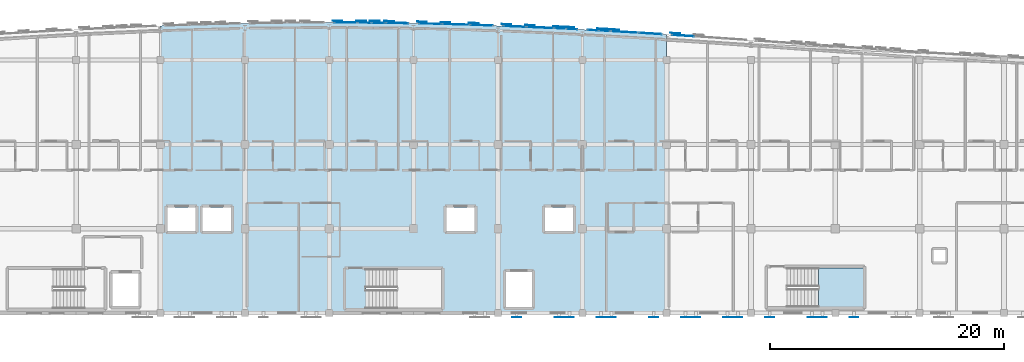
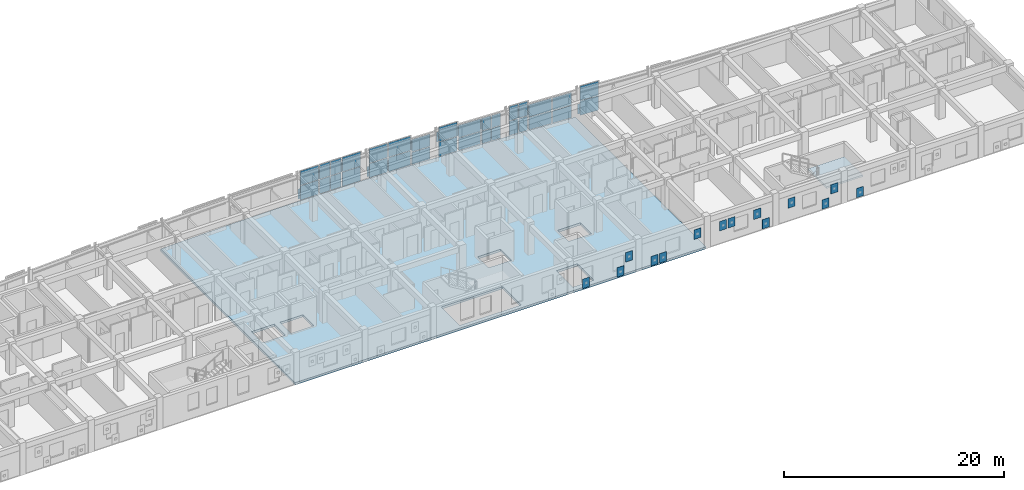
# One storey, part 33 of 48: 60 plates, 2 slabs, 14 elements without a shape of their own.
"""IFC4 building model written with IfcOpenShell, lengths in metres."""

from ifc_helpers import new_model, si_unit, direction, frame, origin, origin_2d, place, context, subcontext, project, spatial, polyline, rectangle, outline, extrude, material, layer, layer_set, type_object, element, aggregate, save


model = new_model("IFC4")

# Units and contexts
model_context = context("Model", 3, precision=1e-05, world=origin(), true_north=direction((0.0, 1.0)))
body_context = subcontext(model_context, "Body", "Model", "MODEL_VIEW")
ifc_project = project(units=[si_unit("LENGTHUNIT", "METRE"), si_unit("AREAUNIT", "SQUARE_METRE"), si_unit("VOLUMEUNIT", "CUBIC_METRE"), si_unit("PLANEANGLEUNIT", "RADIAN"), si_unit("MASSUNIT", "GRAM", prefix="KILO")], contexts=[model_context])

# Site, building, storey
site_placement = place(None, origin())
site = spatial("IfcSite", under=ifc_project, at=site_placement, CompositionType="ELEMENT")
building_placement = place(site_placement, origin())
building = spatial("IfcBuilding", under=site, at=building_placement, Name="Carrowvane Square Congress Hotel", CompositionType="ELEMENT")
storey_placement = place(building_placement, frame((0.0, 0.0, 26.39990234375)))
storey = spatial("IfcBuildingStorey", under=building, at=storey_placement, Name="L06", CompositionType="ELEMENT", Elevation=26.39990234375)

# Curtain wall, plates
ifc_material_1 = material(Name="Anodised aluminium", Category="aluminium")
ifc_layer_1 = layer(ifc_material_1, 0.174072265625)
ifc_layer_set_1 = layer_set([ifc_layer_1], Name="Anodised aluminium")
curtain_wall_type_1 = type_object("IfcCurtainWallType", Name="CW-SYS-2", PredefinedType="NOTDEFINED", material=ifc_layer_set_1)
curtain_wall_1_placement = place(storey_placement, origin())
curtain_wall_1 = element("IfcCurtainWall", 1, at=curtain_wall_1_placement, inside=storey, type_object=curtain_wall_type_1, Name="L06 unitised curtain wall 385", PredefinedType="NOTDEFINED")
ifc_material_2 = material(Name="Double-glazed low-E glass", Category="glass")
ifc_layer_2 = layer(ifc_material_2, 0.028076171875)
ifc_layer_set_2 = layer_set([ifc_layer_2], Name="Double-glazed low-E glass")
plate_type_1 = type_object("IfcPlateType", Name="CW-PAN-1", PredefinedType="CURTAIN_PANEL", material=ifc_layer_set_2)
plate_1_placement = place(storey_placement, frame((106.59619140625, 116.498291015625, 0.06982421875), z_axis=(0.0, 0.0, 1.0), x_axis=(0.99974644475, -0.022517686606, 0.0)))
plate_1 = element("IfcPlate", 2, at=plate_1_placement, type_object=plate_type_1, Name="CW-2 panel 1.1", PredefinedType="CURTAIN_PANEL", context=body_context, shape_type="SweptSolid", body=[
    extrude(rectangle(XDim=1.8681640625, YDim=0.028076171875, at=origin_2d()), origin(), (0.0, 0.0, 1.0), 1.570068359375),
])
plate_2_placement = place(storey_placement, frame((106.59619140625, 116.498291015625, 1.7099609375), z_axis=(0.0, 0.0, 1.0), x_axis=(0.99974644475, -0.022517686606, 0.0)))
plate_2 = element("IfcPlate", 3, at=plate_2_placement, type_object=plate_type_1, Name="CW-2 panel 1.2", PredefinedType="CURTAIN_PANEL", context=body_context, shape_type="SweptSolid", body=[
    extrude(rectangle(XDim=1.8681640625, YDim=0.028076171875, at=origin_2d()), origin(), (0.0, 0.0, 1.0), 1.570068359375),
])
aggregate(curtain_wall_1, [plate_1, plate_2])

ifc_material_3 = material(Name="Anodised aluminium", Category="aluminium")
ifc_layer_3 = layer(ifc_material_3, 0.23388671875)
ifc_layer_set_3 = layer_set([ifc_layer_3], Name="Anodised aluminium")
curtain_wall_type_2 = type_object("IfcCurtainWallType", Name="CW-SYS-7", PredefinedType="NOTDEFINED", material=ifc_layer_set_3)
curtain_wall_2_placement = place(storey_placement, origin())
curtain_wall_2 = element("IfcCurtainWall", 4, at=curtain_wall_2_placement, inside=storey, type_object=curtain_wall_type_2, Name="L06 unitised curtain wall 390", PredefinedType="NOTDEFINED")
plate_3_placement = place(storey_placement, frame((117.723876953125, 116.092041015625, 0.06005859375), z_axis=(0.0, 0.0, 1.0), x_axis=(0.998732955299, -0.050323791596, 0.0)))
plate_3 = element("IfcPlate", 5, at=plate_3_placement, type_object=plate_type_1, Name="CW-7 panel 1.1", PredefinedType="CURTAIN_PANEL", context=body_context, shape_type="SweptSolid", body=[
    extrude(rectangle(XDim=0.928955078125, YDim=0.028076171875, at=origin_2d()), origin(), (0.0, 0.0, 1.0), 1.372802734375),
])
plate_4_placement = place(storey_placement, frame((117.723876953125, 116.092041015625, 1.49267578125), z_axis=(0.0, 0.0, 1.0), x_axis=(0.998732955299, -0.050323791596, 0.0)))
plate_4 = element("IfcPlate", 6, at=plate_4_placement, type_object=plate_type_1, Name="CW-7 panel 1.2", PredefinedType="CURTAIN_PANEL", context=body_context, shape_type="SweptSolid", body=[
    extrude(rectangle(XDim=0.928955078125, YDim=0.028076171875, at=origin_2d()), origin(), (0.0, 0.0, 1.0), 1.372802734375),
])
plate_5_placement = place(storey_placement, frame((118.711669921875, 116.042236328125, 0.06005859375), z_axis=(0.0, 0.0, 1.0), x_axis=(0.998732955299, -0.050323791596, 0.0)))
plate_5 = element("IfcPlate", 7, at=plate_5_placement, type_object=plate_type_1, Name="CW-7 panel 2.1", PredefinedType="CURTAIN_PANEL", context=body_context, shape_type="SweptSolid", body=[
    extrude(rectangle(XDim=0.928955078125, YDim=0.028076171875, at=origin_2d()), origin(), (0.0, 0.0, 1.0), 1.372802734375),
])
plate_6_placement = place(storey_placement, frame((118.711669921875, 116.042236328125, 1.49267578125), z_axis=(0.0, 0.0, 1.0), x_axis=(0.998732955299, -0.050323791596, 0.0)))
plate_6 = element("IfcPlate", 8, at=plate_6_placement, type_object=plate_type_1, Name="CW-7 panel 2.2", PredefinedType="CURTAIN_PANEL", context=body_context, shape_type="SweptSolid", body=[
    extrude(rectangle(XDim=0.928955078125, YDim=0.028076171875, at=origin_2d()), origin(), (0.0, 0.0, 1.0), 1.372802734375),
])
aggregate(curtain_wall_2, [plate_3, plate_4, plate_5, plate_6])

ifc_material_4 = material(Name="Anodised aluminium", Category="aluminium")
ifc_layer_4 = layer(ifc_material_4, 0.18603515625)
ifc_layer_set_4 = layer_set([ifc_layer_4], Name="Anodised aluminium")
curtain_wall_type_3 = type_object("IfcCurtainWallType", Name="CW-SYS-3", PredefinedType="NOTDEFINED", material=ifc_layer_set_4)
curtain_wall_3_placement = place(storey_placement, origin())
curtain_wall_3 = element("IfcCurtainWall", 9, at=curtain_wall_3_placement, inside=storey, type_object=curtain_wall_type_3, Name="L06 unitised curtain wall 386", PredefinedType="NOTDEFINED")
ifc_material_5 = material(Name="Double-glazed low-E glass", Category="glass")
ifc_layer_5 = layer(ifc_material_5, 0.031982421875)
ifc_layer_set_5 = layer_set([ifc_layer_5], Name="Double-glazed low-E glass")
plate_type_2 = type_object("IfcPlateType", Name="CW-PAN-2", PredefinedType="CURTAIN_PANEL", material=ifc_layer_set_5)
plate_7_placement = place(storey_placement, frame((108.800048828125, 116.44140625, 0.06005859375), z_axis=(0.0, 0.0, 1.0), x_axis=(0.999589848065, -0.028638010501, 0.0)))
plate_7 = element("IfcPlate", 10, at=plate_7_placement, type_object=plate_type_2, Name="CW-3 panel 1.1", PredefinedType="CURTAIN_PANEL", context=body_context, shape_type="SweptSolid", body=[
    extrude(rectangle(XDim=2.281005859375, YDim=0.031982421875, at=origin_2d()), origin(), (0.0, 0.0, 1.0), 1.5849609375),
])
plate_8_placement = place(storey_placement, frame((108.800048828125, 116.44140625, 1.705078125), z_axis=(0.0, 0.0, 1.0), x_axis=(0.999589848065, -0.028638010501, 0.0)))
plate_8 = element("IfcPlate", 11, at=plate_8_placement, type_object=plate_type_2, Name="CW-3 panel 1.2", PredefinedType="CURTAIN_PANEL", context=body_context, shape_type="SweptSolid", body=[
    extrude(rectangle(XDim=2.281005859375, YDim=0.031982421875, at=origin_2d()), origin(), (0.0, 0.0, 1.0), 1.5849609375),
])
aggregate(curtain_wall_3, [plate_7, plate_8])

ifc_material_6 = material(Name="Anodised aluminium", Category="aluminium")
ifc_layer_6 = layer(ifc_material_6, 0.24609375)
ifc_layer_set_6 = layer_set([ifc_layer_6], Name="Anodised aluminium")
curtain_wall_type_4 = type_object("IfcCurtainWallType", Name="CW-SYS-8", PredefinedType="NOTDEFINED", material=ifc_layer_set_6)
curtain_wall_4_placement = place(storey_placement, origin())
curtain_wall_4 = element("IfcCurtainWall", 12, at=curtain_wall_4_placement, inside=storey, type_object=curtain_wall_type_4, Name="L06 unitised curtain wall 391", PredefinedType="NOTDEFINED")
plate_9_placement = place(storey_placement, frame((120.520751953125, 115.947021484375, 0.06982421875), z_axis=(0.0, 0.0, 1.0), x_axis=(0.998496473856, -0.054815980317, 0.0)))
plate_9 = element("IfcPlate", 13, at=plate_9_placement, type_object=plate_type_2, Name="CW-8 panel 1.1", PredefinedType="CURTAIN_PANEL", context=body_context, shape_type="SweptSolid", body=[
    extrude(rectangle(XDim=0.894287109375, YDim=0.031982421875, at=origin_2d()), origin(), (0.0, 0.0, 1.0), 1.570068359375),
])
plate_10_placement = place(storey_placement, frame((120.520751953125, 115.947021484375, 1.7099609375), z_axis=(0.0, 0.0, 1.0), x_axis=(0.998496473856, -0.054815980317, 0.0)))
plate_10 = element("IfcPlate", 14, at=plate_10_placement, type_object=plate_type_2, Name="CW-8 panel 1.2", PredefinedType="CURTAIN_PANEL", context=body_context, shape_type="SweptSolid", body=[
    extrude(rectangle(XDim=0.894287109375, YDim=0.031982421875, at=origin_2d()), origin(), (0.0, 0.0, 1.0), 1.570068359375),
])
plate_11_placement = place(storey_placement, frame((121.483642578125, 115.894287109375, 0.06982421875), z_axis=(0.0, 0.0, 1.0), x_axis=(0.998496473856, -0.054815980317, 0.0)))
plate_11 = element("IfcPlate", 15, at=plate_11_placement, type_object=plate_type_2, Name="CW-8 panel 2.1", PredefinedType="CURTAIN_PANEL", context=body_context, shape_type="SweptSolid", body=[
    extrude(rectangle(XDim=0.894287109375, YDim=0.031982421875, at=origin_2d()), origin(), (0.0, 0.0, 1.0), 1.570068359375),
])
plate_12_placement = place(storey_placement, frame((121.483642578125, 115.894287109375, 1.7099609375), z_axis=(0.0, 0.0, 1.0), x_axis=(0.998496473856, -0.054815980317, 0.0)))
plate_12 = element("IfcPlate", 16, at=plate_12_placement, type_object=plate_type_2, Name="CW-8 panel 2.2", PredefinedType="CURTAIN_PANEL", context=body_context, shape_type="SweptSolid", body=[
    extrude(rectangle(XDim=0.894287109375, YDim=0.031982421875, at=origin_2d()), origin(), (0.0, 0.0, 1.0), 1.570068359375),
])
aggregate(curtain_wall_4, [plate_9, plate_10, plate_11, plate_12])

curtain_wall_5_placement = place(storey_placement, origin())
curtain_wall_5 = element("IfcCurtainWall", 17, at=curtain_wall_5_placement, inside=storey, type_object=curtain_wall_type_2, Name="L06 unitised curtain wall 382", PredefinedType="NOTDEFINED")
ifc_material_7 = material(Name="Double-glazed low-E glass", Category="glass")
ifc_layer_7 = layer(ifc_material_7, 0.035888671875)
ifc_layer_set_7 = layer_set([ifc_layer_7], Name="Double-glazed low-E glass")
plate_type_3 = type_object("IfcPlateType", Name="CW-PAN-3", PredefinedType="CURTAIN_PANEL", material=ifc_layer_set_7)
plate_13_placement = place(storey_placement, frame((99.392333984375, 116.595458984375, 0.06005859375), z_axis=(0.0, 0.0, 1.0), x_axis=(0.999994652529, -0.003270307911, 0.0)))
plate_13 = element("IfcPlate", 18, at=plate_13_placement, type_object=plate_type_3, Name="CW-7 panel 1.1", PredefinedType="CURTAIN_PANEL", context=body_context, shape_type="SweptSolid", body=[
    extrude(rectangle(XDim=1.89501953125, YDim=0.035888671875, at=origin_2d()), origin(), (0.0, 0.0, 1.0), 1.5849609375),
])
plate_14_placement = place(storey_placement, frame((99.392333984375, 116.595458984375, 1.705078125), z_axis=(0.0, 0.0, 1.0), x_axis=(0.999994652529, -0.003270307911, 0.0)))
plate_14 = element("IfcPlate", 19, at=plate_14_placement, type_object=plate_type_3, Name="CW-7 panel 1.2", PredefinedType="CURTAIN_PANEL", context=body_context, shape_type="SweptSolid", body=[
    extrude(rectangle(XDim=1.89501953125, YDim=0.035888671875, at=origin_2d()), origin(), (0.0, 0.0, 1.0), 1.5849609375),
])
aggregate(curtain_wall_5, [plate_13, plate_14])

ifc_material_8 = material(Name="Anodised aluminium", Category="aluminium")
ifc_layer_8 = layer(ifc_material_8, 0.197998046875)
ifc_layer_set_8 = layer_set([ifc_layer_8], Name="Anodised aluminium")
curtain_wall_type_5 = type_object("IfcCurtainWallType", Name="CW-SYS-4", PredefinedType="NOTDEFINED", material=ifc_layer_set_8)
curtain_wall_6_placement = place(storey_placement, origin())
curtain_wall_6 = element("IfcCurtainWall", 20, at=curtain_wall_6_placement, inside=storey, type_object=curtain_wall_type_5, Name="L06 unitised curtain wall 387", PredefinedType="NOTDEFINED")
plate_15_placement = place(storey_placement, frame((111.0146484375, 116.371826171875, 0.070068359375), z_axis=(0.0, 0.0, 1.0), x_axis=(0.999403663525, -0.034529948347, 0.0)))
plate_15 = element("IfcPlate", 21, at=plate_15_placement, type_object=plate_type_3, Name="CW-4 panel 1.1", PredefinedType="CURTAIN_PANEL", context=body_context, shape_type="SweptSolid", body=[
    extrude(rectangle(XDim=1.890625, YDim=0.035888671875, at=origin_2d()), origin(), (0.0, 0.0, 1.0), 1.35791015625),
])
plate_16_placement = place(storey_placement, frame((111.0146484375, 116.371826171875, 1.497802734375), z_axis=(0.0, 0.0, 1.0), x_axis=(0.999403663525, -0.034529948347, 0.0)))
plate_16 = element("IfcPlate", 22, at=plate_16_placement, type_object=plate_type_3, Name="CW-4 panel 1.2", PredefinedType="CURTAIN_PANEL", context=body_context, shape_type="SweptSolid", body=[
    extrude(rectangle(XDim=1.890625, YDim=0.035888671875, at=origin_2d()), origin(), (0.0, 0.0, 1.0), 1.35791015625),
])
aggregate(curtain_wall_6, [plate_15, plate_16])

ifc_material_9 = material(Name="Anodised aluminium", Category="aluminium")
ifc_layer_9 = layer(ifc_material_9, 0.162109375)
ifc_layer_set_9 = layer_set([ifc_layer_9], Name="Anodised aluminium")
curtain_wall_type_6 = type_object("IfcCurtainWallType", Name="CW-SYS-1", PredefinedType="NOTDEFINED", material=ifc_layer_set_9)
curtain_wall_7_placement = place(storey_placement, origin())
curtain_wall_7 = element("IfcCurtainWall", 23, at=curtain_wall_7_placement, inside=storey, type_object=curtain_wall_type_6, Name="L06 unitised curtain wall 392", PredefinedType="NOTDEFINED")
plate_17_placement = place(storey_placement, frame((123.199951171875, 115.795166015625, 0.06005859375), z_axis=(0.0, 0.0, 1.0), x_axis=(0.998266763162, -0.058851249486, 0.0)))
plate_17 = element("IfcPlate", 24, at=plate_17_placement, type_object=plate_type_3, Name="CW-1 panel 1.1", PredefinedType="CURTAIN_PANEL", context=body_context, shape_type="SweptSolid", body=[
    extrude(rectangle(XDim=2.2841796875, YDim=0.035888671875, at=origin_2d()), origin(), (0.0, 0.0, 1.0), 1.372802734375),
])
plate_18_placement = place(storey_placement, frame((123.199951171875, 115.795166015625, 1.49267578125), z_axis=(0.0, 0.0, 1.0), x_axis=(0.998266763162, -0.058851249486, 0.0)))
plate_18 = element("IfcPlate", 25, at=plate_18_placement, type_object=plate_type_3, Name="CW-1 panel 1.2", PredefinedType="CURTAIN_PANEL", context=body_context, shape_type="SweptSolid", body=[
    extrude(rectangle(XDim=2.2841796875, YDim=0.035888671875, at=origin_2d()), origin(), (0.0, 0.0, 1.0), 1.372802734375),
])
aggregate(curtain_wall_7, [plate_17, plate_18])

curtain_wall_8_placement = place(storey_placement, origin())
curtain_wall_8 = element("IfcCurtainWall", 26, at=curtain_wall_8_placement, inside=storey, type_object=curtain_wall_type_4, Name="L06 unitised curtain wall 383", PredefinedType="NOTDEFINED")
ifc_material_10 = material(Name="Double-glazed low-E glass", Category="glass")
ifc_layer_10 = layer(ifc_material_10, 0.0419921875)
ifc_layer_set_10 = layer_set([ifc_layer_10], Name="Double-glazed low-E glass")
plate_type_4 = type_object("IfcPlateType", Name="CW-PAN-4", PredefinedType="CURTAIN_PANEL", material=ifc_layer_set_10)
plate_19_placement = place(storey_placement, frame((101.017578125, 116.586181640625, 0.06982421875), z_axis=(0.0, 0.0, 1.0), x_axis=(0.999952146231, -0.009782905924, 0.0)))
plate_19 = element("IfcPlate", 27, at=plate_19_placement, type_object=plate_type_4, Name="CW-8 panel 1.1", PredefinedType="CURTAIN_PANEL", context=body_context, shape_type="SweptSolid", body=[
    extrude(rectangle(XDim=1.094970703125, YDim=0.0419921875, at=origin_2d()), origin(), (0.0, 0.0, 1.0), 1.570068359375),
])
plate_20_placement = place(storey_placement, frame((101.017578125, 116.586181640625, 1.7099609375), z_axis=(0.0, 0.0, 1.0), x_axis=(0.999952146231, -0.009782905924, 0.0)))
plate_20 = element("IfcPlate", 28, at=plate_20_placement, type_object=plate_type_4, Name="CW-8 panel 1.2", PredefinedType="CURTAIN_PANEL", context=body_context, shape_type="SweptSolid", body=[
    extrude(rectangle(XDim=1.094970703125, YDim=0.0419921875, at=origin_2d()), origin(), (0.0, 0.0, 1.0), 1.570068359375),
])
plate_21_placement = place(storey_placement, frame((102.182373046875, 116.57470703125, 0.06982421875), z_axis=(0.0, 0.0, 1.0), x_axis=(0.999952146231, -0.009782905924, 0.0)))
plate_21 = element("IfcPlate", 29, at=plate_21_placement, type_object=plate_type_4, Name="CW-8 panel 2.1", PredefinedType="CURTAIN_PANEL", context=body_context, shape_type="SweptSolid", body=[
    extrude(rectangle(XDim=1.094970703125, YDim=0.0419921875, at=origin_2d()), origin(), (0.0, 0.0, 1.0), 1.570068359375),
])
plate_22_placement = place(storey_placement, frame((102.182373046875, 116.57470703125, 1.7099609375), z_axis=(0.0, 0.0, 1.0), x_axis=(0.999952146231, -0.009782905924, 0.0)))
plate_22 = element("IfcPlate", 30, at=plate_22_placement, type_object=plate_type_4, Name="CW-8 panel 2.2", PredefinedType="CURTAIN_PANEL", context=body_context, shape_type="SweptSolid", body=[
    extrude(rectangle(XDim=1.094970703125, YDim=0.0419921875, at=origin_2d()), origin(), (0.0, 0.0, 1.0), 1.570068359375),
])
aggregate(curtain_wall_8, [plate_19, plate_20, plate_21, plate_22])

ifc_material_11 = material(Name="Anodised aluminium", Category="aluminium")
ifc_layer_11 = layer(ifc_material_11, 0.2099609375)
ifc_layer_set_11 = layer_set([ifc_layer_11], Name="Anodised aluminium")
curtain_wall_type_7 = type_object("IfcCurtainWallType", Name="CW-SYS-5", PredefinedType="NOTDEFINED", material=ifc_layer_set_11)
curtain_wall_9_placement = place(storey_placement, origin())
curtain_wall_9 = element("IfcCurtainWall", 31, at=curtain_wall_9_placement, inside=storey, type_object=curtain_wall_type_7, Name="L06 unitised curtain wall 388", PredefinedType="NOTDEFINED")
plate_23_placement = place(storey_placement, frame((113.79931640625, 116.267822265625, 0.06005859375), z_axis=(0.0, 0.0, 1.0), x_axis=(0.999194428656, -0.040130957403, 0.0)))
plate_23 = element("IfcPlate", 32, at=plate_23_placement, type_object=plate_type_4, Name="CW-5 panel 1.1", PredefinedType="CURTAIN_PANEL", context=body_context, shape_type="SweptSolid", body=[
    extrude(rectangle(XDim=1.8828125, YDim=0.0419921875, at=origin_2d()), origin(), (0.0, 0.0, 1.0), 1.5849609375),
])
plate_24_placement = place(storey_placement, frame((113.79931640625, 116.267822265625, 1.705078125), z_axis=(0.0, 0.0, 1.0), x_axis=(0.999194428656, -0.040130957403, 0.0)))
plate_24 = element("IfcPlate", 33, at=plate_24_placement, type_object=plate_type_4, Name="CW-5 panel 1.2", PredefinedType="CURTAIN_PANEL", context=body_context, shape_type="SweptSolid", body=[
    extrude(rectangle(XDim=1.8828125, YDim=0.0419921875, at=origin_2d()), origin(), (0.0, 0.0, 1.0), 1.5849609375),
])
aggregate(curtain_wall_9, [plate_23, plate_24])

curtain_wall_10_placement = place(storey_placement, origin())
curtain_wall_10 = element("IfcCurtainWall", 34, at=curtain_wall_10_placement, inside=storey, type_object=curtain_wall_type_1, Name="L06 unitised curtain wall 393", PredefinedType="NOTDEFINED")
plate_25_placement = place(storey_placement, frame((125.419921875, 115.66064453125, 0.070068359375), z_axis=(0.0, 0.0, 1.0), x_axis=(0.998051398046, -0.062397170272, 0.0)))
plate_25 = element("IfcPlate", 35, at=plate_25_placement, type_object=plate_type_4, Name="CW-2 panel 1.1", PredefinedType="CURTAIN_PANEL", context=body_context, shape_type="SweptSolid", body=[
    extrude(rectangle(XDim=1.904052734375, YDim=0.0419921875, at=origin_2d()), origin(), (0.0, 0.0, 1.0), 1.35791015625),
])
plate_26_placement = place(storey_placement, frame((125.419921875, 115.66064453125, 1.497802734375), z_axis=(0.0, 0.0, 1.0), x_axis=(0.998051398046, -0.062397170272, 0.0)))
plate_26 = element("IfcPlate", 36, at=plate_26_placement, type_object=plate_type_4, Name="CW-2 panel 1.2", PredefinedType="CURTAIN_PANEL", context=body_context, shape_type="SweptSolid", body=[
    extrude(rectangle(XDim=1.904052734375, YDim=0.0419921875, at=origin_2d()), origin(), (0.0, 0.0, 1.0), 1.35791015625),
])
aggregate(curtain_wall_10, [plate_25, plate_26])

curtain_wall_11_placement = place(storey_placement, origin())
curtain_wall_11 = element("IfcCurtainWall", 37, at=curtain_wall_11_placement, inside=storey, type_object=curtain_wall_type_6, Name="L06 unitised curtain wall 384", PredefinedType="NOTDEFINED")
ifc_material_12 = material(Name="Double-glazed low-E glass", Category="glass")
ifc_layer_12 = layer(ifc_material_12, 0.048095703125)
ifc_layer_set_12 = layer_set([ifc_layer_12], Name="Double-glazed low-E glass")
plate_type_5 = type_object("IfcPlateType", Name="CW-PAN-5", PredefinedType="CURTAIN_PANEL", material=ifc_layer_set_12)
plate_27_placement = place(storey_placement, frame((103.811279296875, 116.55224609375, 0.06005859375), z_axis=(0.0, 0.0, 1.0), x_axis=(0.99986851233, -0.016215981364, 0.0)))
plate_27 = element("IfcPlate", 38, at=plate_27_placement, type_object=plate_type_5, Name="CW-1 panel 1.1", PredefinedType="CURTAIN_PANEL", context=body_context, shape_type="SweptSolid", body=[
    extrude(rectangle(XDim=1.902587890625, YDim=0.048095703125, at=origin_2d()), origin(), (0.0, 0.0, 1.0), 1.5849609375),
])
plate_28_placement = place(storey_placement, frame((103.811279296875, 116.55224609375, 1.705078125), z_axis=(0.0, 0.0, 1.0), x_axis=(0.99986851233, -0.016215981364, 0.0)))
plate_28 = element("IfcPlate", 39, at=plate_28_placement, type_object=plate_type_5, Name="CW-1 panel 1.2", PredefinedType="CURTAIN_PANEL", context=body_context, shape_type="SweptSolid", body=[
    extrude(rectangle(XDim=1.902587890625, YDim=0.048095703125, at=origin_2d()), origin(), (0.0, 0.0, 1.0), 1.5849609375),
])
aggregate(curtain_wall_11, [plate_27, plate_28])

ifc_material_13 = material(Name="Anodised aluminium", Category="aluminium")
ifc_layer_13 = layer(ifc_material_13, 0.221923828125)
ifc_layer_set_13 = layer_set([ifc_layer_13], Name="Anodised aluminium")
curtain_wall_type_8 = type_object("IfcCurtainWallType", Name="CW-SYS-6", PredefinedType="NOTDEFINED", material=ifc_layer_set_13)
curtain_wall_12_placement = place(storey_placement, origin())
curtain_wall_12 = element("IfcCurtainWall", 40, at=curtain_wall_12_placement, inside=storey, type_object=curtain_wall_type_8, Name="L06 unitised curtain wall 389", PredefinedType="NOTDEFINED")
plate_29_placement = place(storey_placement, frame((116.0, 116.173095703125, 0.070068359375), z_axis=(0.0, 0.0, 1.0), x_axis=(0.998968385726, -0.045411059449, 0.0)))
plate_29 = element("IfcPlate", 41, at=plate_29_placement, type_object=plate_type_5, Name="CW-6 panel 1.1", PredefinedType="CURTAIN_PANEL", context=body_context, shape_type="SweptSolid", body=[
    extrude(rectangle(XDim=2.262451171875, YDim=0.048095703125, at=origin_2d()), origin(), (0.0, 0.0, 1.0), 1.35791015625),
])
plate_30_placement = place(storey_placement, frame((116.0, 116.173095703125, 1.497802734375), z_axis=(0.0, 0.0, 1.0), x_axis=(0.998968385726, -0.045411059449, 0.0)))
plate_30 = element("IfcPlate", 42, at=plate_30_placement, type_object=plate_type_5, Name="CW-6 panel 1.2", PredefinedType="CURTAIN_PANEL", context=body_context, shape_type="SweptSolid", body=[
    extrude(rectangle(XDim=2.262451171875, YDim=0.048095703125, at=origin_2d()), origin(), (0.0, 0.0, 1.0), 1.35791015625),
])
aggregate(curtain_wall_12, [plate_29, plate_30])

curtain_wall_13_placement = place(storey_placement, origin())
curtain_wall_13 = element("IfcCurtainWall", 43, at=curtain_wall_13_placement, inside=storey, type_object=curtain_wall_type_3, Name="L06 unitised curtain wall 394", PredefinedType="NOTDEFINED")
plate_31_placement = place(storey_placement, frame((128.204345703125, 115.482177734375, 0.06005859375), z_axis=(0.0, 0.0, 1.0), x_axis=(0.9978582145, -0.065413941589, 0.0)))
plate_31 = element("IfcPlate", 44, at=plate_31_placement, type_object=plate_type_5, Name="CW-3 panel 1.1", PredefinedType="CURTAIN_PANEL", context=body_context, shape_type="SweptSolid", body=[
    extrude(rectangle(XDim=1.8759765625, YDim=0.048095703125, at=origin_2d()), origin(), (0.0, 0.0, 1.0), 1.5849609375),
])
plate_32_placement = place(storey_placement, frame((128.204345703125, 115.482177734375, 1.705078125), z_axis=(0.0, 0.0, 1.0), x_axis=(0.9978582145, -0.065413941589, 0.0)))
plate_32 = element("IfcPlate", 45, at=plate_32_placement, type_object=plate_type_5, Name="CW-3 panel 1.2", PredefinedType="CURTAIN_PANEL", context=body_context, shape_type="SweptSolid", body=[
    extrude(rectangle(XDim=1.8759765625, YDim=0.048095703125, at=origin_2d()), origin(), (0.0, 0.0, 1.0), 1.5849609375),
])
aggregate(curtain_wall_13, [plate_31, plate_32])

# Plates
ifc_material_14 = material(Name="Champagne-gold anodised aluminium", Category="aluminium")
ifc_layer_14 = layer(ifc_material_14, 0.011962890625)
ifc_layer_set_14 = layer_set([ifc_layer_14], Name="Champagne-gold anodised aluminium")
plate_type_6 = type_object("IfcPlateType", Name="PLT-PIX-GOLD12", PredefinedType="SHEET", material=ifc_layer_set_14)
for number, where, z_axis, x_axis, name in (
    (46, (100.726318359375, 116.7548828125, 1.590087890625), (0.0, 0.0, 1.0), (0.999952150705, -0.009782448565, 0.0), "Champagne-gold pixel screen plate 544"),
    (47, (101.891357421875, 116.74365234375, 0.1201171875), (0.0, 0.0, 1.0), (0.999952150705, -0.009782448565, 0.0), "Champagne-gold pixel screen plate 545"),
    (48, (105.920654296875, 116.679443359375, 0.1201171875), (0.0, 0.0, 1.0), (0.999746418061, -0.022518871507, 0.0), "Champagne-gold pixel screen plate 547"),
    (49, (110.330322265625, 116.5615234375, 1.590087890625), (0.0, 0.0, 1.0), (0.999403768784, -0.034526901703, 0.0), "Champagne-gold pixel screen plate 549"),
    (50, (115.132080078125, 116.378662109375, 1.590087890625), (0.0, 0.0, 1.0), (0.998968255262, -0.045413929349, 0.0), "Champagne-gold pixel screen plate 551"),
    (51, (121.30078125, 116.070556640625, 1.590087890625), (0.0, 0.0, 1.0), (0.998496552462, -0.054814548441, 0.0), "Champagne-gold pixel screen plate 554"),
):
    element("IfcPlate", number, at=place(storey_placement, frame(where, z_axis=z_axis, x_axis=x_axis)), inside=storey, type_object=plate_type_6, Name=name, PredefinedType="SHEET", context=body_context, shape_type="SweptSolid", body=[
        extrude(rectangle(XDim=0.827880859375, YDim=0.011962890625, at=origin_2d()), origin(), (0.0, 0.0, 1.0), 1.1201171875),
    ])
for number, where, z_axis, x_axis, name in (
    (52, (140.10009765625, 91.4541015625, 1.52490234375), (0.0, 0.0, 1.0), (-1.0, 0.0, 0.0), "Champagne-gold pixel screen plate S-588"),
    (53, (139.199951171875, 91.4541015625, 0.1552734375), (0.0, 0.0, 1.0), (-1.0, 0.0, 0.0), "Champagne-gold pixel screen plate S-589"),
    (54, (135.60009765625, 91.4541015625, 1.52490234375), (0.0, 0.0, 1.0), (-1.0, 0.0, 0.0), "Champagne-gold pixel screen plate S-590"),
    (55, (125.699951171875, 91.4541015625, 1.52490234375), (0.0, 0.0, 1.0), (-1.0, 0.0, 0.0), "Champagne-gold pixel screen plate S-595"),
    (56, (122.10009765625, 91.4541015625, 0.1552734375), (0.0, 0.0, 1.0), (-1.0, 0.0, 0.0), "Champagne-gold pixel screen plate S-596"),
    (57, (121.199951171875, 91.4541015625, 0.1552734375), (0.0, 0.0, 1.0), (-1.0, 0.0, 0.0), "Champagne-gold pixel screen plate S-597"),
):
    element("IfcPlate", number, at=place(storey_placement, frame(where, z_axis=z_axis, x_axis=x_axis)), inside=storey, type_object=plate_type_6, Name=name, PredefinedType="SHEET", context=body_context, shape_type="SweptSolid", body=[
        extrude(rectangle(XDim=0.738037109375, YDim=0.011962890625, at=origin_2d()), origin(), (0.0, 0.0, 1.0), 1.050048828125),
    ])
ifc_material_15 = material(Name="Champagne-gold anodised aluminium", Category="aluminium")
ifc_layer_15 = layer(ifc_material_15, 0.008056640625)
ifc_layer_set_15 = layer_set([ifc_layer_15], Name="Champagne-gold anodised aluminium")
plate_type_7 = type_object("IfcPlateType", Name="PLT-PIX-GOLD8", PredefinedType="SHEET", material=ifc_layer_set_15)
for number, where, z_axis, x_axis, name in (
    (58, (98.705322265625, 116.76171875, 0.1201171875), (0.0, 0.0, 1.0), (0.999994654955, -0.003269565853, 0.0), "Champagne-gold pixel screen plate 543"),
    (59, (103.122314453125, 116.7275390625, 1.590087890625), (0.0, 0.0, 1.0), (0.999868508772, -0.016216200758, 0.0), "Champagne-gold pixel screen plate 546"),
    (60, (107.92431640625, 116.63037109375, 0.1201171875), (0.0, 0.0, 1.0), (0.999589805464, -0.028639497417, 0.0), "Champagne-gold pixel screen plate 548"),
    (61, (113.125, 116.458984375, 1.590087890625), (0.0, 0.0, 1.0), (0.999194294234, -0.040134304148, 0.0), "Champagne-gold pixel screen plate 550"),
    (62, (117.527587890625, 116.26611328125, 1.590087890625), (0.0, 0.0, 1.0), (0.998733066647, -0.050321581706, 0.0), "Champagne-gold pixel screen plate 552"),
    (63, (118.515380859375, 116.216552734375, 0.1201171875), (0.0, 0.0, 1.0), (0.998733066647, -0.050321581706, 0.0), "Champagne-gold pixel screen plate 553"),
    (64, (122.328857421875, 116.0107421875, 1.590087890625), (0.0, 0.0, 1.0), (0.998266695506, -0.05885239709, 0.0), "Champagne-gold pixel screen plate 555"),
    (65, (127.538330078125, 115.690185546875, 0.1201171875), (0.0, 0.0, 1.0), (0.99785825325, -0.065413350476, 0.0), "Champagne-gold pixel screen plate 556"),
):
    element("IfcPlate", number, at=place(storey_placement, frame(where, z_axis=z_axis, x_axis=x_axis)), inside=storey, type_object=plate_type_7, Name=name, PredefinedType="SHEET", context=body_context, shape_type="SweptSolid", body=[
        extrude(rectangle(XDim=0.827880859375, YDim=0.008056640625, at=origin_2d()), origin(), (0.0, 0.0, 1.0), 1.1201171875),
    ])
for number, where, z_axis, x_axis, name in (
    (66, (142.800048828125, 91.4560546875, 0.1552734375), (0.0, 0.0, 1.0), (-1.0, 0.0, 0.0), "Champagne-gold pixel screen plate S-587"),
    (67, (132.89990234375, 91.4560546875, 0.1552734375), (0.0, 0.0, 1.0), (-1.0, 0.0, 0.0), "Champagne-gold pixel screen plate S-591"),
    (68, (132.0, 91.4560546875, 1.52490234375), (0.0, 0.0, 1.0), (-1.0, 0.0, 0.0), "Champagne-gold pixel screen plate S-592"),
    (69, (129.300048828125, 91.4560546875, 1.52490234375), (0.0, 0.0, 1.0), (-1.0, 0.0, 0.0), "Champagne-gold pixel screen plate S-593"),
    (70, (128.39990234375, 91.4560546875, 1.52490234375), (0.0, 0.0, 1.0), (-1.0, 0.0, 0.0), "Champagne-gold pixel screen plate S-594"),
    (71, (118.5, 91.4560546875, 1.52490234375), (0.0, 0.0, 1.0), (-1.0, 0.0, 0.0), "Champagne-gold pixel screen plate S-598"),
    (72, (117.60009765625, 91.4560546875, 0.1552734375), (0.0, 0.0, 1.0), (-1.0, 0.0, 0.0), "Champagne-gold pixel screen plate S-599"),
    (73, (114.0, 91.4560546875, 0.1552734375), (0.0, 0.0, 1.0), (-1.0, 0.0, 0.0), "Champagne-gold pixel screen plate S-600"),
):
    element("IfcPlate", number, at=place(storey_placement, frame(where, z_axis=z_axis, x_axis=x_axis)), inside=storey, type_object=plate_type_7, Name=name, PredefinedType="SHEET", context=body_context, shape_type="SweptSolid", body=[
        extrude(rectangle(XDim=0.738037109375, YDim=0.008056640625, at=origin_2d()), origin(), (0.0, 0.0, 1.0), 1.050048828125),
    ])

# Slab
ifc_material_16 = material(Name="Concrete C35/45", Category="concrete")
ifc_layer_16 = layer(ifc_material_16, 0.25)
ifc_layer_set_16 = layer_set([ifc_layer_16], Name="Concrete C35/45")
slab_type_1 = type_object("IfcSlabType", Name="SLB-FLR-250", PredefinedType="FLOOR", material=ifc_layer_set_16)
slab_1_placement = place(storey_placement, frame((0.0, 0.0, -0.25)))
element("IfcSlab", 74, at=slab_1_placement, inside=storey, type_object=slab_type_1, Name="L06 Hotel Wing slab panel 2", PredefinedType="FLOOR", context=body_context, shape_type="SweptSolid", body=[
    extrude(outline(polyline([(83.60009765625, 91.800048828125), (126.800048828125, 91.800048828125), (126.800048828125, 115.57421875), (124.39990234375, 115.724365234375), (122.0, 115.86572265625), (119.60009765625, 115.99755859375), (117.199951171875, 116.118408203125), (114.800048828125, 116.2275390625), (112.39990234375, 116.323974609375), (110.0, 116.406982421875), (107.60009765625, 116.4755859375), (105.199951171875, 116.52978515625), (102.800048828125, 116.568603515625), (100.39990234375, 116.592041015625), (98.0, 116.60009765625), (95.60009765625, 116.592041015625), (93.199951171875, 116.568603515625), (90.800048828125, 116.52978515625), (88.39990234375, 116.4755859375), (86.0, 116.406982421875), (83.60009765625, 116.323974609375), (83.60009765625, 91.800048828125)]), holes=[polyline([(101.1201171875, 92.199951171875), (107.60009765625, 92.199951171875), (107.60009765625, 95.56005859375), (101.1201171875, 95.56005859375), (101.1201171875, 92.199951171875)]), polyline([(84.199951171875, 98.800048828125), (86.60009765625, 98.800048828125), (86.60009765625, 100.800048828125), (84.199951171875, 100.800048828125), (84.199951171875, 98.800048828125)]), polyline([(87.199951171875, 98.800048828125), (89.60009765625, 98.800048828125), (89.60009765625, 100.800048828125), (87.199951171875, 100.800048828125), (87.199951171875, 98.800048828125)]), polyline([(108.0, 98.800048828125), (110.39990234375, 98.800048828125), (110.39990234375, 100.800048828125), (108.0, 100.800048828125), (108.0, 98.800048828125)]), polyline([(116.39990234375, 98.800048828125), (118.800048828125, 98.800048828125), (118.800048828125, 100.800048828125), (116.39990234375, 100.800048828125), (116.39990234375, 98.800048828125)]), polyline([(113.10009765625, 92.300048828125), (115.300048828125, 92.300048828125), (115.300048828125, 95.300048828125), (113.10009765625, 95.300048828125), (113.10009765625, 92.300048828125)])]), origin(), (0.0, 0.0, 1.0), 0.25),
])

# Stair, slab
ifc_material_17 = material(Name="Concrete C35/45", Category="concrete")
stair_type = type_object("IfcStairType", Name="STR-DOG-02", PredefinedType="HALF_TURN_STAIR", material=ifc_material_17)
stair_placement = place(storey_placement, origin())
stair = element("IfcStair", 75, at=stair_placement, inside=storey, type_object=stair_type, Name="L06 East Hotel Wing Escape Stair", PredefinedType="HALF_TURN_STAIR")
ifc_material_18 = material(Name="Concrete C35/45", Category="concrete")
ifc_layer_17 = layer(ifc_material_18, 0.199951171875)
ifc_layer_set_17 = layer_set([ifc_layer_17], Name="Concrete C35/45")
slab_type_2 = type_object("IfcSlabType", Name="SLB-LND-200", PredefinedType="LANDING", material=ifc_layer_set_17)
slab_2_placement = place(storey_placement, frame((0.0, 0.0, 1.60009765625)))
slab_2 = element("IfcSlab", 76, at=slab_2_placement, type_object=slab_type_2, Name="ST12 landing 1", PredefinedType="LANDING", context=body_context, shape_type="SweptSolid", body=[
    extrude(outline(polyline([(139.780029296875, 92.300048828125), (143.60009765625, 92.300048828125), (143.60009765625, 95.659912109375), (139.780029296875, 95.659912109375), (139.780029296875, 92.300048828125)])), origin(), (0.0, 0.0, 1.0), 0.199951171875),
])
aggregate(stair, [slab_2])

save(model, "model.ifc")
